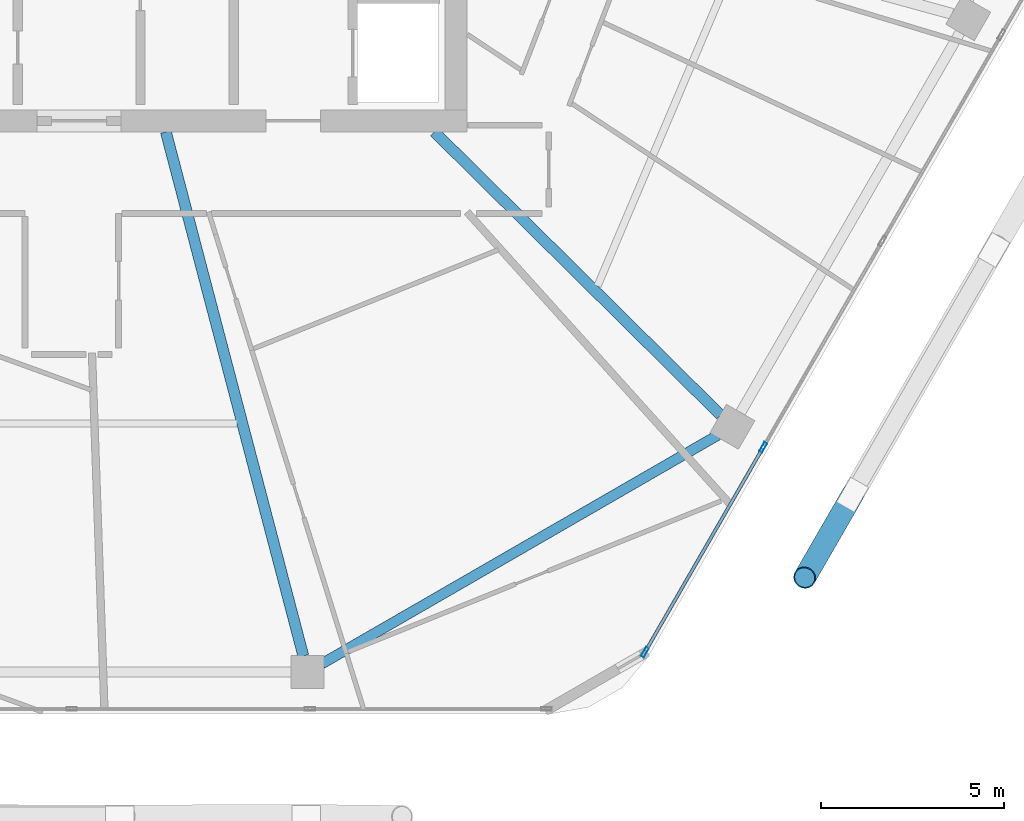
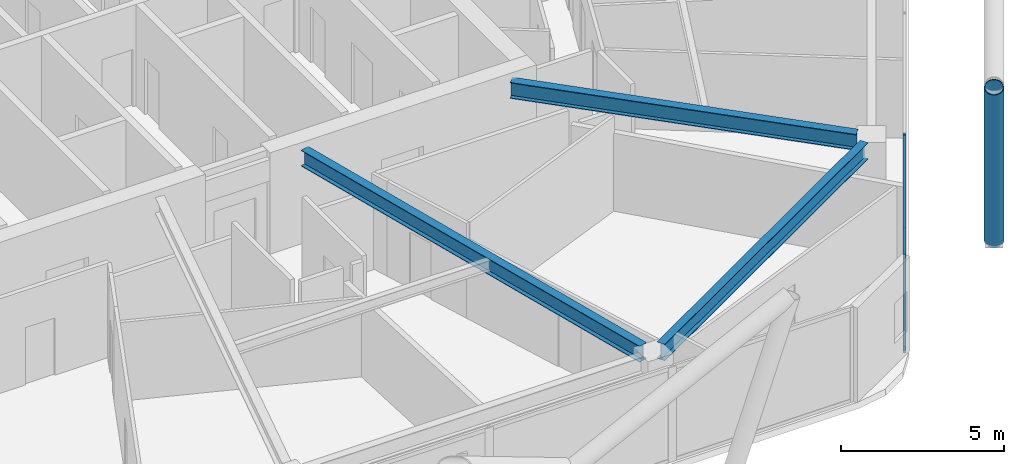
# One storey, part 8 of 27: 5 members, 3 beams, 1 element without a shape of its own.
"""IFC4 building model written with IfcOpenShell, lengths in metres."""

from ifc_helpers import new_model, si_unit, direction, frame, origin, origin_2d, place, context, subcontext, project, spatial, hollow_rectangle, hollow_circle, i_section, extrude, material, material_profile, profile_set, type_object, element, aggregate, save


model = new_model("IFC4")

# Units and contexts
model_context = context("Model", 3, precision=1e-05, world=origin(), true_north=direction((0.0, 1.0)))
body_context = subcontext(model_context, "Body", "Model", "MODEL_VIEW")
ifc_project = project(units=[si_unit("LENGTHUNIT", "METRE"), si_unit("AREAUNIT", "SQUARE_METRE"), si_unit("VOLUMEUNIT", "CUBIC_METRE"), si_unit("PLANEANGLEUNIT", "RADIAN"), si_unit("MASSUNIT", "GRAM", prefix="KILO")], contexts=[model_context])

# Site, building, storey
site_placement = place(None, origin())
site = spatial("IfcSite", under=ifc_project, at=site_placement, CompositionType="ELEMENT")
building_placement = place(site_placement, origin())
building = spatial("IfcBuilding", under=site, at=building_placement, Name="Zuhravey Tower", CompositionType="ELEMENT")
storey_placement = place(building_placement, frame((0.0, 0.0, 238.800048828125)))
storey = spatial("IfcBuildingStorey", under=building, at=storey_placement, Name="L60", CompositionType="ELEMENT", Elevation=238.800048828125)

# Curtain wall, members
ifc_material_1 = material(Name="Thermally broken anodised aluminium", Category="aluminium")
curtain_wall_type = type_object("IfcCurtainWallType", Name="Zone 3-4 High-Rise Curtain Wall CW4", PredefinedType="NOTDEFINED", material=ifc_material_1)
curtain_wall_placement = place(storey_placement, origin())
curtain_wall = element("IfcCurtainWall", 1, at=curtain_wall_placement, inside=storey, type_object=curtain_wall_type, Name="L60 CW4 CW-L60-F6-1", PredefinedType="NOTDEFINED")
ifc_material_2 = material(Name="Anodised aluminium", Category="aluminium")
ifc_material_profile_1 = material_profile(ifc_material_2, hollow_rectangle(XDim=0.090087890625, YDim=0.284912109375, WallThickness=0.0048828125, at=origin_2d()), Name="ALU-RHS-90x285x5")
ifc_profile_set_1 = profile_set([ifc_material_profile_1], Name="Anodised aluminium")
member_type_1 = type_object("IfcMemberType", Name="Curtain-Wall Mullion 90x180", PredefinedType="MULLION", material=ifc_profile_set_1)
member_1_placement = place(storey_placement, frame((54.885498046875, 13.58349609375, 0.0), z_axis=(0.0, 0.0, 1.0), x_axis=(0.866024851021, -0.500000957414, 0.0)))
member_1 = element("IfcMember", 2, at=member_1_placement, type_object=member_type_1, Name="CW4 mullion 4", PredefinedType="MULLION", context=body_context, shape_type="SweptSolid", body=[
    extrude(hollow_rectangle(XDim=0.090087890625, YDim=0.284912109375, WallThickness=0.0048828125, at=origin_2d()), origin(), (0.0, 0.0, 1.0), 3.550048828125),
])
member_2_placement = place(storey_placement, frame((51.65478515625, 7.98779296875, 0.0), z_axis=(0.0, 0.0, 1.0), x_axis=(0.866024851021, -0.500000957414, 0.0)))
member_2 = element("IfcMember", 3, at=member_2_placement, type_object=member_type_1, Name="CW4 mullion 5", PredefinedType="MULLION", context=body_context, shape_type="SweptSolid", body=[
    extrude(hollow_rectangle(XDim=0.090087890625, YDim=0.284912109375, WallThickness=0.0048828125, at=origin_2d()), origin(), (0.0, 0.0, 1.0), 3.550048828125),
])
ifc_material_profile_2 = material_profile(ifc_material_2, hollow_rectangle(XDim=0.090087890625, YDim=0.14990234375, WallThickness=0.0048828125, at=origin_2d()), Name="ALU-RHS-90x150x5")
ifc_profile_set_2 = profile_set([ifc_material_profile_2], Name="Anodised aluminium")
member_type_2 = type_object("IfcMemberType", Name="Curtain-Wall Transom 90x150", PredefinedType="USERDEFINED", material=ifc_profile_set_2)
member_3_placement = place(storey_placement, frame((54.863037109375, 13.544677734375, 0.044921875), z_axis=(-0.499980071345, -0.866036909293, 0.0), x_axis=(0.866036909293, -0.499980071345, 0.0)))
member_3 = element("IfcMember", 4, at=member_3_placement, type_object=member_type_2, Name="CW4 transom 4.1", ObjectType="TRANSOM", PredefinedType="USERDEFINED", context=body_context, shape_type="SweptSolid", body=[
    extrude(hollow_rectangle(XDim=0.090087890625, YDim=0.14990234375, WallThickness=0.0048828125, at=origin_2d()), origin(), (0.0, 0.0, 1.0), 6.371337890625),
])
member_4_placement = place(storey_placement, frame((54.863037109375, 13.544677734375, 3.5048828125), z_axis=(-0.499980071345, -0.866036909293, 0.0), x_axis=(0.866036909293, -0.499980071345, 0.0)))
member_4 = element("IfcMember", 5, at=member_4_placement, type_object=member_type_2, Name="CW4 transom 4.2", ObjectType="TRANSOM", PredefinedType="USERDEFINED", context=body_context, shape_type="SweptSolid", body=[
    extrude(hollow_rectangle(XDim=0.090087890625, YDim=0.14990234375, WallThickness=0.0048828125, at=origin_2d()), origin(), (0.0, 0.0, 1.0), 6.371337890625),
])
aggregate(curtain_wall, [member_1, member_2, member_3, member_4])

# Member
ifc_material_3 = material(Name="Steel SM355", Category="steel")
ifc_material_profile_3 = material_profile(ifc_material_3, hollow_circle(Radius=0.3046875, WallThickness=0.028076171875, at=origin_2d()), Name="CHS-609.6x28")
ifc_profile_set_3 = profile_set([ifc_material_profile_3], Name="Steel SM355")
member_type_3 = type_object("IfcMemberType", Name="Exoskeleton Zone 3 Diagrid CHS610x28", PredefinedType="BRACE", material=ifc_profile_set_3)
member_5_placement = place(storey_placement, frame((57.322021484375, 12.28369140625, -0.446044921875), z_axis=(-0.163029217662, -0.282394798701, 0.945343668649), x_axis=(0.866040668696, -0.499973559465, 0.0)))
element("IfcMember", 6, at=member_5_placement, inside=storey, type_object=member_type_3, Name="L60 Face 6 Diagrid Brace 1", PredefinedType="BRACE", context=body_context, shape_type="SweptSolid", body=[
    extrude(hollow_circle(Radius=0.3046875, WallThickness=0.028076171875, at=origin_2d()), origin(), (0.0, 0.0, 1.0), 8.001220703125),
])

# Beams
ifc_material_profile_4 = material_profile(ifc_material_3, i_section(OverallWidth=0.280029296875, OverallDepth=0.6201171875, WebThickness=0.011962890625, FlangeThickness=0.02001953125, at=origin_2d()), Name="H-620x280x12x20")
ifc_profile_set_4 = profile_set([ifc_material_profile_4], Name="Steel SM355")
beam_type_1 = type_object("IfcBeamType", Name="Perimeter Ring Beam H620x280", PredefinedType="BEAM", material=ifc_profile_set_4)
beam_1_placement = place(storey_placement, frame((42.833251953125, 7.6728515625, 3.239990234375), z_axis=(0.866025131093, 0.500000472315, 0.0), x_axis=(-0.500000472315, 0.866025131093, 0.0)))
element("IfcBeam", 7, at=beam_1_placement, inside=storey, type_object=beam_type_1, Name="L60 PB3 BM-L60-PB-10", PredefinedType="BEAM", context=body_context, shape_type="SweptSolid", body=[
    extrude(i_section(OverallWidth=0.280029296875, OverallDepth=0.6201171875, WebThickness=0.011962890625, FlangeThickness=0.02001953125, at=origin_2d()), origin(), (0.0, 0.0, 1.0), 12.49169921875),
])
ifc_material_profile_5 = material_profile(ifc_material_3, i_section(OverallWidth=0.300048828125, OverallDepth=0.60009765625, WebThickness=0.011962890625, FlangeThickness=0.02001953125, at=origin_2d()), Name="H-600x300x12x20")
ifc_profile_set_5 = profile_set([ifc_material_profile_5], Name="Steel SM355")
beam_type_2 = type_object("IfcBeamType", Name="Radial Primary Girder H600x300", PredefinedType="BEAM", material=ifc_profile_set_5)
beam_2_placement = place(storey_placement, frame((38.571533203125, 22.197021484375, 3.25), z_axis=(0.253731415841, -0.967274712073, 0.0), x_axis=(0.967274712073, 0.253731415841, 0.0)))
element("IfcBeam", 8, at=beam_2_placement, inside=storey, type_object=beam_type_2, Name="L60 RG3 BM-L60-RAD-10", PredefinedType="BEAM", context=body_context, shape_type="SweptSolid", body=[
    extrude(i_section(OverallWidth=0.300048828125, OverallDepth=0.60009765625, WebThickness=0.011962890625, FlangeThickness=0.02001953125, at=origin_2d()), origin(), (0.0, 0.0, 1.0), 14.796630859375),
])
beam_3_placement = place(storey_placement, frame((45.90673828125, 22.197021484375, 3.25), z_axis=(0.710816516282, -0.703377480576, 0.0), x_axis=(0.703377480576, 0.710816516282, 0.0)))
element("IfcBeam", 9, at=beam_3_placement, inside=storey, type_object=beam_type_2, Name="L60 RG3 BM-L60-RAD-11", PredefinedType="BEAM", context=body_context, shape_type="SweptSolid", body=[
    extrude(i_section(OverallWidth=0.300048828125, OverallDepth=0.60009765625, WebThickness=0.011962890625, FlangeThickness=0.02001953125, at=origin_2d()), origin(), (0.0, 0.0, 1.0), 10.994384765625),
])

save(model, "model.ifc")
